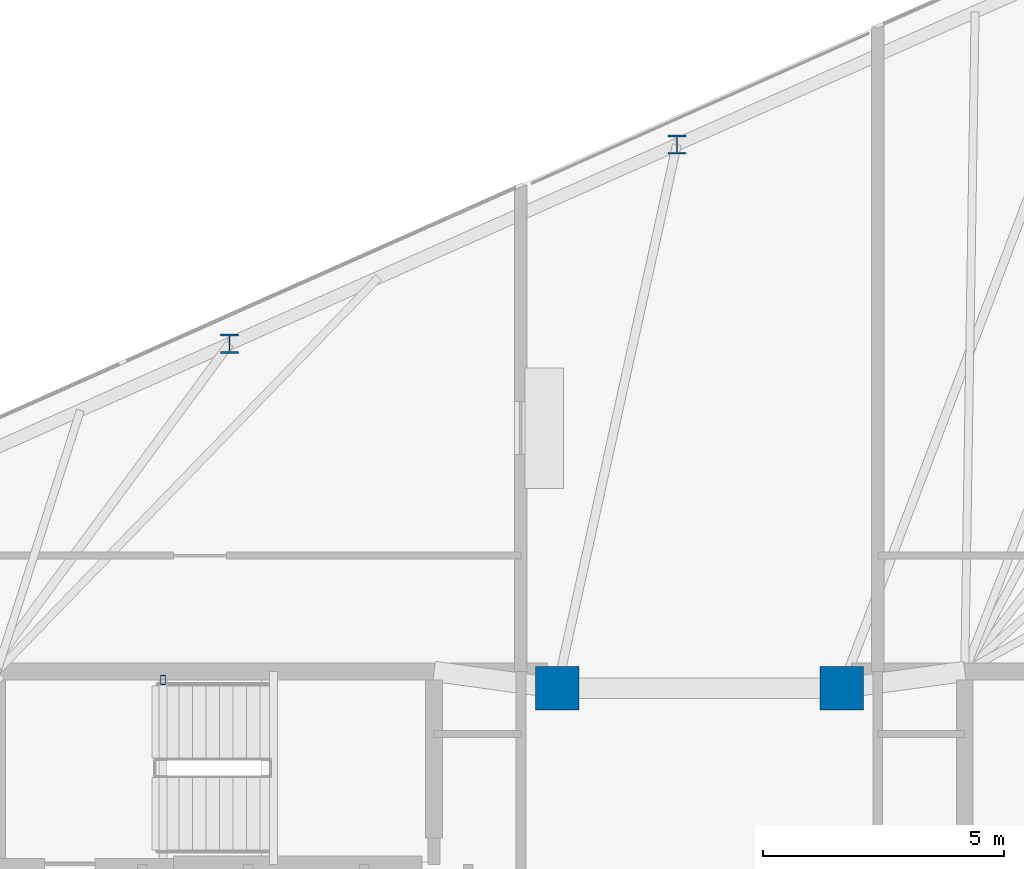
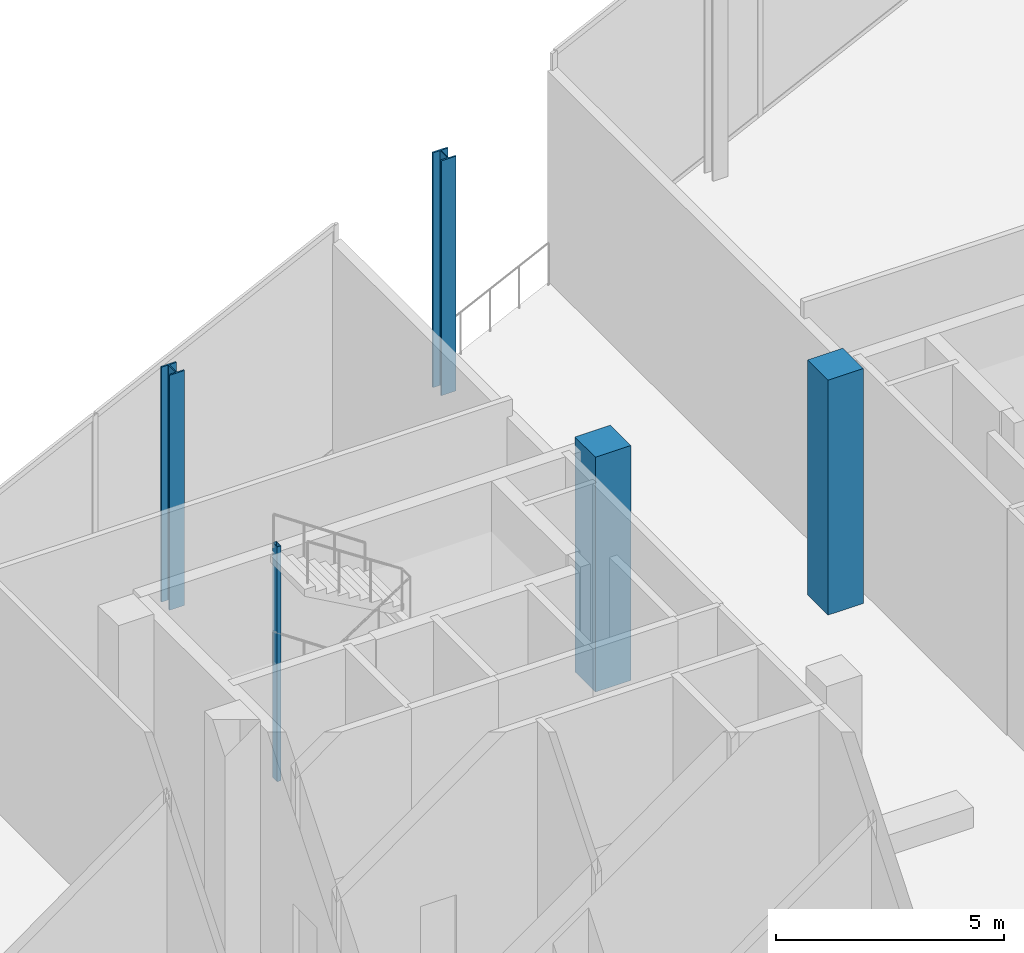
# One storey, part 3 of 16: 5 columns.
"""IFC4 building model written with IfcOpenShell, lengths in metres."""

from ifc_helpers import new_model, si_unit, direction, frame, origin, origin_2d, place, context, subcontext, project, spatial, rectangle, hollow_rectangle, i_section, extrude, material, material_profile, profile_set, type_object, element, save


model = new_model("IFC4")

# Units and contexts
model_context = context("Model", 3, precision=1e-05, world=origin(), true_north=direction((0.0, 1.0)))
body_context = subcontext(model_context, "Body", "Model", "MODEL_VIEW")
ifc_project = project(units=[si_unit("LENGTHUNIT", "METRE"), si_unit("AREAUNIT", "SQUARE_METRE"), si_unit("VOLUMEUNIT", "CUBIC_METRE"), si_unit("PLANEANGLEUNIT", "RADIAN"), si_unit("MASSUNIT", "GRAM", prefix="KILO")], contexts=[model_context])

# Site, building, storey
site_placement = place(None, origin())
site = spatial("IfcSite", under=ifc_project, at=site_placement, CompositionType="ELEMENT")
building_placement = place(site_placement, origin())
building = spatial("IfcBuilding", under=site, at=building_placement, Name="Menara Jurai Vektor", CompositionType="ELEMENT")
storey_placement = place(building_placement, frame((0.0, 0.0, 275.60009765625)))
storey = spatial("IfcBuildingStorey", under=building, at=storey_placement, Name="L74", CompositionType="ELEMENT", Elevation=275.60009765625)

# Columns
ifc_material_1 = material(Name="Steel S460", Category="steel")
ifc_material_profile_1 = material_profile(ifc_material_1, i_section(OverallWidth=0.376953125, OverallDepth=0.39892578125, WebThickness=0.02490234375, FlangeThickness=0.0400390625, FilletRadius=0.014892578125, at=origin_2d()), Name="HD 360x314")
ifc_profile_set_1 = profile_set([ifc_material_profile_1], Name="Steel S460")
column_type_1 = type_object("IfcColumnType", Name="STR-COL-PORTAL", PredefinedType="COLUMN", material=ifc_profile_set_1)
for number, where, z_axis, x_axis, name in (
    (1, (-0.467529296875, 16.519287109375, 0.0), (0.0, 0.0, 1.0), (1.0, 0.0, 0.0), "Exoskeleton Column BLK5-N3 L74"),
    (2, (-9.740966796875, 12.390380859375, 0.0), (0.0, 0.0, 1.0), (1.0, 0.0, 0.0), "Exoskeleton Column BLK5-N4 L74"),
):
    element("IfcColumn", number, at=place(storey_placement, frame(where, z_axis=z_axis, x_axis=x_axis)), inside=storey, type_object=column_type_1, Name=name, PredefinedType="COLUMN", context=body_context, shape_type="SweptSolid", body=[
        extrude(i_section(OverallWidth=0.376953125, OverallDepth=0.39892578125, WebThickness=0.02490234375, FlangeThickness=0.0400390625, FilletRadius=0.014892578125, at=origin_2d()), origin(), (0.0, 0.0, 1.0), 6.2998046875),
    ])
ifc_material_2 = material(Name="Concrete C50/60", Category="concrete")
ifc_material_profile_2 = material_profile(ifc_material_2, rectangle(XDim=0.89990234375, YDim=0.89990234375, at=origin_2d()), Name="RC 900x900")
ifc_profile_set_2 = profile_set([ifc_material_profile_2], Name="Concrete C50/60")
column_type_2 = type_object("IfcColumnType", Name="STR-COL-RC900", PredefinedType="COLUMN", material=ifc_profile_set_2)
for number, where, z_axis, x_axis, name in (
    (3, (-2.949951171875, 5.25, 0.0), (0.0, 0.0, 1.0), (1.0, 0.0, 0.0), "Core Spine Column CW-NE L74"),
    (4, (2.949951171875, 5.25, 0.0), (0.0, 0.0, 1.0), (1.0, 0.0, 0.0), "Core Spine Column CE-NW L74"),
):
    element("IfcColumn", number, at=place(storey_placement, frame(where, z_axis=z_axis, x_axis=x_axis)), inside=storey, type_object=column_type_2, Name=name, PredefinedType="COLUMN", context=body_context, shape_type="SweptSolid", body=[
        extrude(rectangle(XDim=0.89990234375, YDim=0.89990234375, at=origin_2d()), origin(), (0.0, 0.0, 1.0), 6.2998046875),
    ])
ifc_material_3 = material(Name="Steel S355", Category="steel")
ifc_material_profile_3 = material_profile(ifc_material_3, hollow_rectangle(XDim=0.10009765625, YDim=0.199951171875, WallThickness=0.008056640625, at=origin_2d()), Name="RHS 200x100x8")
ifc_profile_set_3 = profile_set([ifc_material_profile_3], Name="Steel S355")
column_type_3 = type_object("IfcColumnType", Name="STR-COL-STAIR", PredefinedType="COLUMN", material=ifc_profile_set_3)
column_placement = place(storey_placement, frame((-11.1201171875, 5.419921875, 0.0), z_axis=(0.0, 0.0, 1.0), x_axis=(1.0, 0.0, 0.0)))
element("IfcColumn", 5, at=column_placement, inside=storey, type_object=column_type_3, Name="Stair Well Header Column ST1-P2 L74", PredefinedType="COLUMN", context=body_context, shape_type="SweptSolid", body=[
    extrude(hollow_rectangle(XDim=0.10009765625, YDim=0.199951171875, WallThickness=0.008056640625, at=origin_2d()), origin(), (0.0, 0.0, 1.0), 6.2998046875),
])

save(model, "model.ifc")
